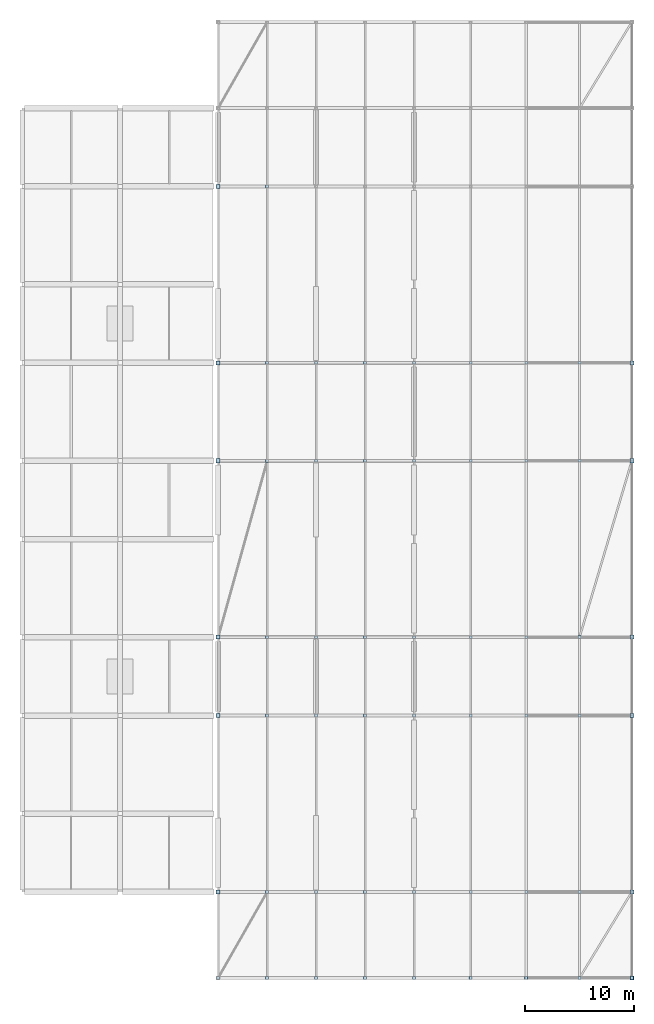
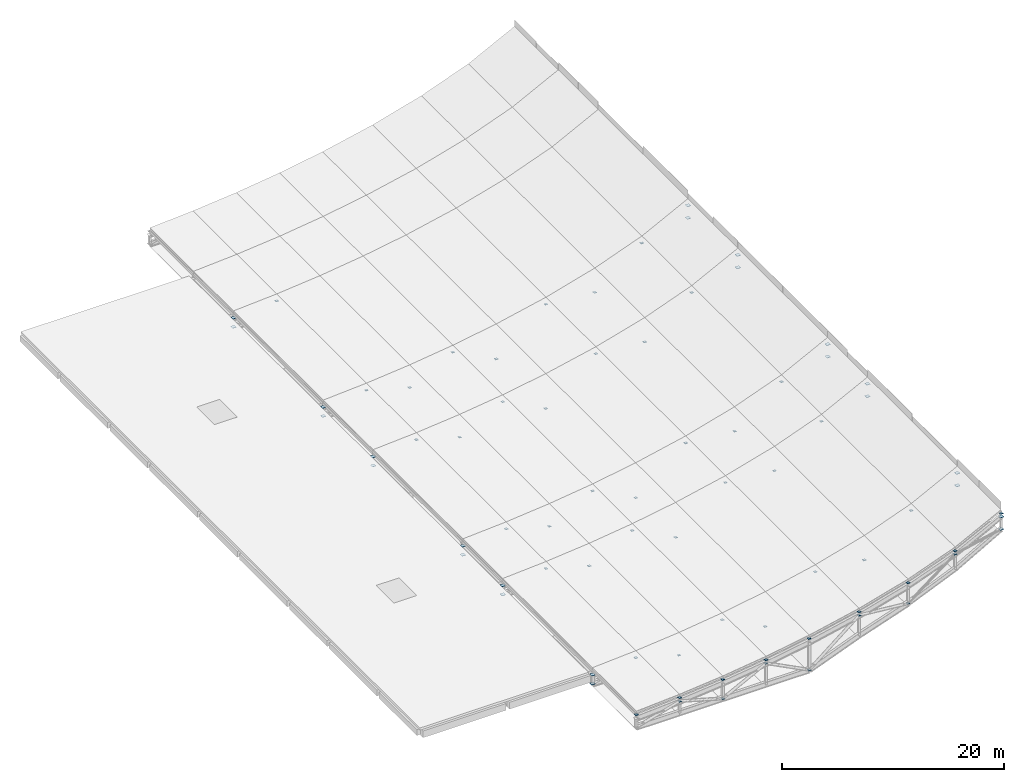
# One storey, part 21 of 24: 76 plates.
"""IFC4 building model written with IfcOpenShell, lengths in metres."""

from ifc_helpers import new_model, si_unit, direction, frame, origin, origin_2d, place, context, subcontext, project, spatial, rectangle, extrude, material, layer, layer_set, type_object, element, save


model = new_model("IFC4")

# Units and contexts
model_context = context("Model", 3, precision=1e-05, world=origin(), true_north=direction((0.0, 1.0)))
body_context = subcontext(model_context, "Body", "Model", "MODEL_VIEW")
ifc_project = project(units=[si_unit("LENGTHUNIT", "METRE"), si_unit("AREAUNIT", "SQUARE_METRE"), si_unit("VOLUMEUNIT", "CUBIC_METRE"), si_unit("PLANEANGLEUNIT", "RADIAN"), si_unit("MASSUNIT", "GRAM", prefix="KILO"), si_unit("THERMODYNAMICTEMPERATUREUNIT", "KELVIN"), si_unit("POWERUNIT", "WATT")], contexts=[model_context])

# Site, building, storey
site_placement = place(None, origin())
site = spatial("IfcSite", under=ifc_project, at=site_placement, CompositionType="ELEMENT")
building_placement = place(site_placement, origin())
building = spatial("IfcBuilding", under=site, at=building_placement, Name="Sindhuravela Promenade Stadium", CompositionType="ELEMENT")
storey_placement = place(building_placement, frame((0.0, 0.0, 28.800048828125)))
storey = spatial("IfcBuildingStorey", under=building, at=storey_placement, Name="RF", CompositionType="ELEMENT", Elevation=28.800048828125)

# Plates
ifc_material = material(Name="Steel E350 (IS 2062 E350BR)", Category="steel")
ifc_layer_1 = layer(ifc_material, 0.02392578125)
ifc_layer_set_1 = layer_set([ifc_layer_1], Name="Steel E350 (IS 2062 E350BR)")
plate_type_1 = type_object("IfcPlateType", Name="ST-PL-CAP24", PredefinedType="USERDEFINED", material=ifc_layer_set_1)
for number, where, z_axis, x_axis, name in (
    (1, (18.0, 37.10009765625, -0.02001953125), (0.0, 0.0, 1.0), (1.0, 0.0, 0.0), "Purlin end cap plate CP01 W-37"),
    (2, (22.5, 37.10009765625, 0.273193359375), (0.0, 0.0, 1.0), (1.0, 0.0, 0.0), "Purlin end cap plate CP01 W-38"),
    (3, (27.0, 37.10009765625, 0.708740234375), (0.0, 0.0, 1.0), (1.0, 0.0, 0.0), "Purlin end cap plate CP01 W-39"),
    (4, (31.5, 37.10009765625, 1.298095703125), (0.0, 0.0, 1.0), (1.0, 0.0, 0.0), "Purlin end cap plate CP01 W-40"),
    (5, (36.0, 37.10009765625, 2.05908203125), (0.0, 0.0, 1.0), (1.0, 0.0, 0.0), "Purlin end cap plate CP01 W-41"),
    (6, (41.199951171875, 37.10009765625, 3.189453125), (0.0, 0.0, 1.0), (1.0, 0.0, 0.0), "Purlin end cap plate CP01 W-42"),
    (7, (46.300048828125, 37.10009765625, 4.6015625), (0.0, 0.0, 1.0), (1.0, 0.0, 0.0), "Purlin end cap plate CP01 W-43"),
    (8, (51.199951171875, 37.10009765625, 6.41015625), (0.0, 0.0, 1.0), (1.0, 0.0, 0.0), "Purlin end cap plate CP01 W-44"),
    (9, (56.0, 37.10009765625, 8.85009765625), (0.0, 0.0, 1.0), (1.0, 0.0, 0.0), "Purlin end cap plate CP01 W-45"),
    (10, (22.5, 45.0, -0.11865234375), (0.0, 0.0, 1.0), (1.0, 0.0, 0.0), "Brace end cap plate CP01 W-46"),
    (11, (51.199951171875, 37.10009765625, 6.04296875), (0.0, 0.0, 1.0), (1.0, 0.0, 0.0), "Brace end cap plate CP01 W-47"),
    (12, (22.5, 84.60009765625, -0.11865234375), (0.0, 0.0, 1.0), (1.0, 0.0, 0.0), "Brace end cap plate CP01 W-48"),
    (13, (51.199951171875, 68.39990234375, 6.04296875), (0.0, 0.0, 1.0), (1.0, 0.0, 0.0), "Brace end cap plate CP01 W-49"),
):
    element("IfcPlate", number, at=place(storey_placement, frame(where, z_axis=z_axis, x_axis=x_axis)), inside=storey, type_object=plate_type_1, Name=name, ObjectType="GUSSET PLATE", PredefinedType="USERDEFINED", context=body_context, shape_type="SweptSolid", body=[
        extrude(rectangle(XDim=0.280029296875, YDim=0.280029296875, at=origin_2d()), origin(), (0.0, 0.0, 1.0), 0.02392578125),
    ])
for number, where, z_axis, x_axis, name in (
    (14, (22.5, 37.10009765625, -0.11865234375), (0.0, 0.0, 1.0), (1.0, 0.0, 0.0), "Brace end gusset plate CP01 BR-0013B"),
    (15, (27.0, 37.10009765625, -1.412109375), (0.0, 0.0, 1.0), (1.0, 0.0, 0.0), "Brace end gusset plate CP01 BR-0014B"),
    (16, (31.5, 37.10009765625, 0.906005859375), (0.0, 0.0, 1.0), (1.0, 0.0, 0.0), "Brace end gusset plate CP01 BR-0015B"),
    (17, (36.0, 37.10009765625, -1.412109375), (0.0, 0.0, 1.0), (1.0, 0.0, 0.0), "Brace end gusset plate CP01 BR-0016B"),
    (18, (41.199951171875, 37.10009765625, 2.79736328125), (0.0, 0.0, 1.0), (1.0, 0.0, 0.0), "Brace end gusset plate CP01 BR-0017B"),
    (19, (46.300048828125, 37.10009765625, 2.31396484375), (0.0, 0.0, 1.0), (1.0, 0.0, 0.0), "Brace end gusset plate CP01 BR-0018B"),
    (20, (27.0, 45.0, -1.412109375), (0.0, 0.0, 1.0), (1.0, 0.0, 0.0), "Brace end gusset plate CP01 BR-0019B"),
    (21, (31.5, 45.0, 0.906005859375), (0.0, 0.0, 1.0), (1.0, 0.0, 0.0), "Brace end gusset plate CP01 BR-0020B"),
    (22, (36.0, 45.0, -1.412109375), (0.0, 0.0, 1.0), (1.0, 0.0, 0.0), "Brace end gusset plate CP01 BR-0021B"),
    (23, (41.199951171875, 45.0, 2.79736328125), (0.0, 0.0, 1.0), (1.0, 0.0, 0.0), "Brace end gusset plate CP01 BR-0022B"),
    (24, (46.300048828125, 45.0, 2.31396484375), (0.0, 0.0, 1.0), (1.0, 0.0, 0.0), "Brace end gusset plate CP01 BR-0023B"),
    (25, (51.199951171875, 45.0, 6.04296875), (0.0, 0.0, 1.0), (1.0, 0.0, 0.0), "Brace end gusset plate CP01 BR-0024B"),
    (26, (22.5, 61.199951171875, -0.11865234375), (0.0, 0.0, 1.0), (1.0, 0.0, 0.0), "Brace end gusset plate CP01 BR-0025B"),
    (27, (27.0, 61.199951171875, -1.412109375), (0.0, 0.0, 1.0), (1.0, 0.0, 0.0), "Brace end gusset plate CP01 BR-0026B"),
    (28, (31.5, 61.199951171875, 0.906005859375), (0.0, 0.0, 1.0), (1.0, 0.0, 0.0), "Brace end gusset plate CP01 BR-0027B"),
    (29, (36.0, 61.199951171875, -1.412109375), (0.0, 0.0, 1.0), (1.0, 0.0, 0.0), "Brace end gusset plate CP01 BR-0028B"),
    (30, (41.199951171875, 61.199951171875, 2.79736328125), (0.0, 0.0, 1.0), (1.0, 0.0, 0.0), "Brace end gusset plate CP01 BR-0029B"),
    (31, (46.300048828125, 61.199951171875, 2.31396484375), (0.0, 0.0, 1.0), (1.0, 0.0, 0.0), "Brace end gusset plate CP01 BR-0030B"),
    (32, (51.199951171875, 61.199951171875, 6.04296875), (0.0, 0.0, 1.0), (1.0, 0.0, 0.0), "Brace end gusset plate CP01 BR-0031B"),
    (33, (22.5, 68.39990234375, -0.11865234375), (0.0, 0.0, 1.0), (1.0, 0.0, 0.0), "Brace end gusset plate CP01 BR-0032B"),
    (34, (27.0, 68.39990234375, -1.412109375), (0.0, 0.0, 1.0), (1.0, 0.0, 0.0), "Brace end gusset plate CP01 BR-0033B"),
    (35, (31.5, 68.39990234375, 0.906005859375), (0.0, 0.0, 1.0), (1.0, 0.0, 0.0), "Brace end gusset plate CP01 BR-0034B"),
    (36, (36.0, 68.39990234375, -1.412109375), (0.0, 0.0, 1.0), (1.0, 0.0, 0.0), "Brace end gusset plate CP01 BR-0035B"),
    (37, (41.199951171875, 68.39990234375, 2.79736328125), (0.0, 0.0, 1.0), (1.0, 0.0, 0.0), "Brace end gusset plate CP01 BR-0036B"),
    (38, (46.300048828125, 68.39990234375, 2.31396484375), (0.0, 0.0, 1.0), (1.0, 0.0, 0.0), "Brace end gusset plate CP01 BR-0037B"),
    (39, (27.0, 84.60009765625, -1.412109375), (0.0, 0.0, 1.0), (1.0, 0.0, 0.0), "Brace end gusset plate CP01 BR-0038B"),
    (40, (31.5, 84.60009765625, 0.906005859375), (0.0, 0.0, 1.0), (1.0, 0.0, 0.0), "Brace end gusset plate CP01 BR-0039B"),
    (41, (36.0, 84.60009765625, -1.412109375), (0.0, 0.0, 1.0), (1.0, 0.0, 0.0), "Brace end gusset plate CP01 BR-0040B"),
    (42, (41.199951171875, 84.60009765625, 2.79736328125), (0.0, 0.0, 1.0), (1.0, 0.0, 0.0), "Brace end gusset plate CP01 BR-0041B"),
    (43, (46.300048828125, 84.60009765625, 2.31396484375), (0.0, 0.0, 1.0), (1.0, 0.0, 0.0), "Brace end gusset plate CP01 BR-0042B"),
    (44, (51.199951171875, 84.60009765625, 6.04296875), (0.0, 0.0, 1.0), (1.0, 0.0, 0.0), "Brace end gusset plate CP01 BR-0043B"),
    (45, (22.5, 93.60009765625, -0.11865234375), (0.0, 0.0, 1.0), (1.0, 0.0, 0.0), "Brace end gusset plate CP01 BR-0044B"),
    (46, (27.0, 93.60009765625, -1.412109375), (0.0, 0.0, 1.0), (1.0, 0.0, 0.0), "Brace end gusset plate CP01 BR-0045B"),
    (47, (31.5, 93.60009765625, 0.906005859375), (0.0, 0.0, 1.0), (1.0, 0.0, 0.0), "Brace end gusset plate CP01 BR-0046B"),
    (48, (36.0, 93.60009765625, -1.412109375), (0.0, 0.0, 1.0), (1.0, 0.0, 0.0), "Brace end gusset plate CP01 BR-0047B"),
    (49, (41.199951171875, 93.60009765625, 2.79736328125), (0.0, 0.0, 1.0), (1.0, 0.0, 0.0), "Brace end gusset plate CP01 BR-0048B"),
    (50, (46.300048828125, 93.60009765625, 2.31396484375), (0.0, 0.0, 1.0), (1.0, 0.0, 0.0), "Brace end gusset plate CP01 BR-0049B"),
    (51, (51.199951171875, 93.60009765625, 6.04296875), (0.0, 0.0, 1.0), (1.0, 0.0, 0.0), "Brace end gusset plate CP01 BR-0050B"),
    (52, (22.5, 109.800048828125, -0.11865234375), (0.0, 0.0, 1.0), (1.0, 0.0, 0.0), "Brace end gusset plate CP01 BR-0051B"),
):
    element("IfcPlate", number, at=place(storey_placement, frame(where, z_axis=z_axis, x_axis=x_axis)), inside=storey, type_object=plate_type_1, Name=name, ObjectType="GUSSET PLATE", PredefinedType="USERDEFINED", context=body_context, shape_type="SweptSolid", body=[
        extrude(rectangle(XDim=0.260009765625, YDim=0.260009765625, at=origin_2d()), origin(), (0.0, 0.0, 1.0), 0.02392578125),
    ])
ifc_layer_2 = layer(ifc_material, 0.033935546875)
ifc_layer_set_2 = layer_set([ifc_layer_2], Name="Steel E350 (IS 2062 E350BR)")
plate_type_2 = type_object("IfcPlateType", Name="ST-PL-CAP34", PredefinedType="USERDEFINED", material=ifc_layer_set_2)
for number, where, z_axis, x_axis, name in (
    (53, (56.0, 37.10009765625, 8.47802734375), (0.0, 0.0, 1.0), (1.0, 0.0, 0.0), "Truss end gusset cap plate CP02 W01-9T"),
    (54, (56.0, 37.10009765625, 7.10302734375), (0.0, 0.0, 1.0), (1.0, 0.0, 0.0), "Truss end gusset cap plate CP02 W01-9B"),
    (55, (18.0, 45.0, -0.4169921875), (0.0, 0.0, 1.0), (1.0, 0.0, 0.0), "Truss end gusset cap plate CP02 W02-1T"),
    (56, (18.0, 45.0, -1.4169921875), (0.0, 0.0, 1.0), (1.0, 0.0, 0.0), "Truss end gusset cap plate CP02 W02-1B"),
    (57, (56.0, 45.0, 8.47802734375), (0.0, 0.0, 1.0), (1.0, 0.0, 0.0), "Truss end gusset cap plate CP02 W02-9T"),
    (58, (56.0, 45.0, 7.10302734375), (0.0, 0.0, 1.0), (1.0, 0.0, 0.0), "Truss end gusset cap plate CP02 W02-9B"),
    (59, (18.0, 61.199951171875, -0.4169921875), (0.0, 0.0, 1.0), (1.0, 0.0, 0.0), "Truss end gusset cap plate CP02 W03-1T"),
    (60, (18.0, 61.199951171875, -1.4169921875), (0.0, 0.0, 1.0), (1.0, 0.0, 0.0), "Truss end gusset cap plate CP02 W03-1B"),
    (61, (56.0, 61.199951171875, 8.47802734375), (0.0, 0.0, 1.0), (1.0, 0.0, 0.0), "Truss end gusset cap plate CP02 W03-9T"),
    (62, (56.0, 61.199951171875, 7.10302734375), (0.0, 0.0, 1.0), (1.0, 0.0, 0.0), "Truss end gusset cap plate CP02 W03-9B"),
    (63, (18.0, 68.39990234375, -0.4169921875), (0.0, 0.0, 1.0), (1.0, 0.0, 0.0), "Truss end gusset cap plate CP02 W04-1T"),
    (64, (18.0, 68.39990234375, -1.4169921875), (0.0, 0.0, 1.0), (1.0, 0.0, 0.0), "Truss end gusset cap plate CP02 W04-1B"),
    (65, (56.0, 68.39990234375, 8.47802734375), (0.0, 0.0, 1.0), (1.0, 0.0, 0.0), "Truss end gusset cap plate CP02 W04-9T"),
    (66, (56.0, 68.39990234375, 7.10302734375), (0.0, 0.0, 1.0), (1.0, 0.0, 0.0), "Truss end gusset cap plate CP02 W04-9B"),
    (67, (18.0, 84.60009765625, -0.4169921875), (0.0, 0.0, 1.0), (1.0, 0.0, 0.0), "Truss end gusset cap plate CP02 W05-1T"),
    (68, (18.0, 84.60009765625, -1.4169921875), (0.0, 0.0, 1.0), (1.0, 0.0, 0.0), "Truss end gusset cap plate CP02 W05-1B"),
    (69, (56.0, 84.60009765625, 8.47802734375), (0.0, 0.0, 1.0), (1.0, 0.0, 0.0), "Truss end gusset cap plate CP02 W05-9T"),
    (70, (56.0, 84.60009765625, 7.10302734375), (0.0, 0.0, 1.0), (1.0, 0.0, 0.0), "Truss end gusset cap plate CP02 W05-9B"),
    (71, (18.0, 93.60009765625, -0.4169921875), (0.0, 0.0, 1.0), (1.0, 0.0, 0.0), "Truss end gusset cap plate CP02 W06-1T"),
    (72, (18.0, 93.60009765625, -1.4169921875), (0.0, 0.0, 1.0), (1.0, 0.0, 0.0), "Truss end gusset cap plate CP02 W06-1B"),
    (73, (56.0, 93.60009765625, 8.47802734375), (0.0, 0.0, 1.0), (1.0, 0.0, 0.0), "Truss end gusset cap plate CP02 W06-9T"),
    (74, (56.0, 93.60009765625, 7.10302734375), (0.0, 0.0, 1.0), (1.0, 0.0, 0.0), "Truss end gusset cap plate CP02 W06-9B"),
    (75, (18.0, 109.800048828125, -0.4169921875), (0.0, 0.0, 1.0), (1.0, 0.0, 0.0), "Truss end gusset cap plate CP02 W07-1T"),
    (76, (18.0, 109.800048828125, -1.4169921875), (0.0, 0.0, 1.0), (1.0, 0.0, 0.0), "Truss end gusset cap plate CP02 W07-1B"),
):
    element("IfcPlate", number, at=place(storey_placement, frame(where, z_axis=z_axis, x_axis=x_axis)), inside=storey, type_object=plate_type_2, Name=name, ObjectType="GUSSET PLATE", PredefinedType="USERDEFINED", context=body_context, shape_type="SweptSolid", body=[
        extrude(rectangle(XDim=0.3798828125, YDim=0.3798828125, at=origin_2d()), origin(), (0.0, 0.0, 1.0), 0.033935546875),
    ])

save(model, "model.ifc")
